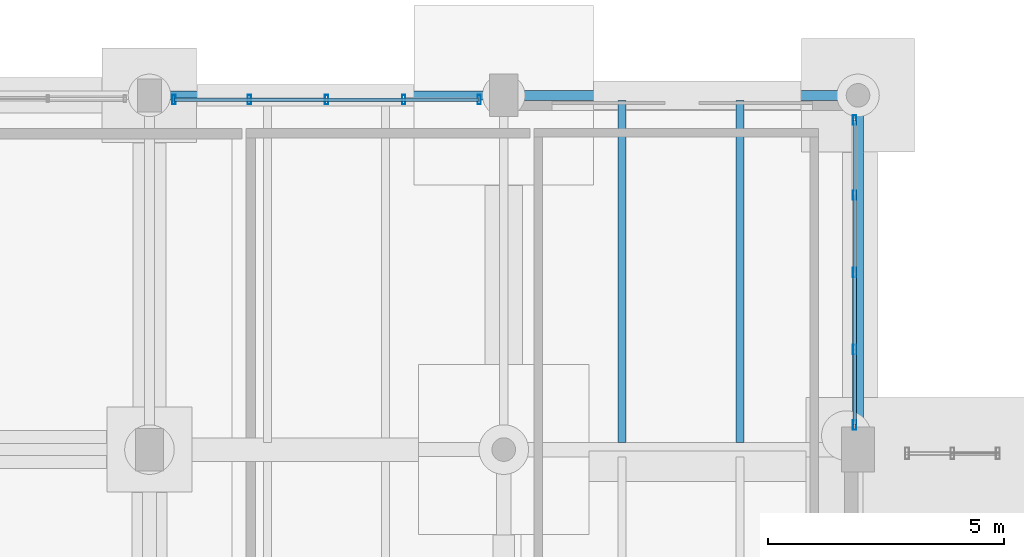
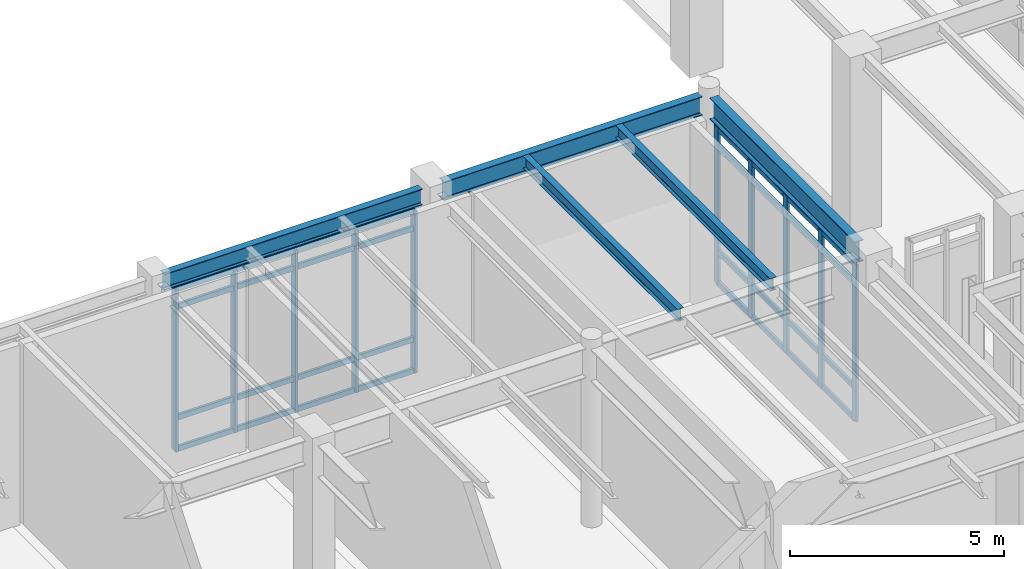
# One storey, part 45 of 203: 18 members, 5 beams, 2 elements without a shape of their own.
"""IFC4 building model written with IfcOpenShell, lengths in metres."""

from ifc_helpers import new_model, si_unit, direction, frame, origin, origin_2d, place, context, subcontext, project, spatial, hollow_rectangle, i_section, extrude, material, material_profile, profile_set, type_object, element, aggregate, save


model = new_model("IFC4")

# Units and contexts
model_context = context("Model", 3, precision=1e-05, world=origin(), true_north=direction((0.0, 1.0)))
body_context = subcontext(model_context, "Body", "Model", "MODEL_VIEW")
ifc_project = project(units=[si_unit("LENGTHUNIT", "METRE"), si_unit("AREAUNIT", "SQUARE_METRE"), si_unit("VOLUMEUNIT", "CUBIC_METRE"), si_unit("PLANEANGLEUNIT", "RADIAN"), si_unit("MASSUNIT", "GRAM", prefix="KILO"), si_unit("THERMODYNAMICTEMPERATUREUNIT", "KELVIN"), si_unit("POWERUNIT", "WATT")], contexts=[model_context])

# Site, building, storey
site_placement = place(None, origin())
site = spatial("IfcSite", under=ifc_project, at=site_placement, CompositionType="ELEMENT")
building_placement = place(site_placement, origin())
building = spatial("IfcBuilding", under=site, at=building_placement, Name="Tepalcoro Natatorium and Aquatics Centre", CompositionType="ELEMENT")
storey_placement = place(building_placement, origin())
storey = spatial("IfcBuildingStorey", under=building, at=storey_placement, Name="L00", CompositionType="ELEMENT", Elevation=0.0)

# Curtain wall, members
ifc_material_1 = material(Name="Bronze-Anodised Extruded Aluminium Alloy EN AW-6063 T6", Category="aluminium")
curtain_wall_type_1 = type_object("IfcCurtainWallType", Name="CW_LEAN_T2_NS", PredefinedType="USERDEFINED", material=ifc_material_1)
curtain_wall_1_placement = place(storey_placement, origin())
curtain_wall_1 = element("IfcCurtainWall", 1, at=curtain_wall_1_placement, inside=storey, type_object=curtain_wall_type_1, Name="V3 L00 N Unitised Curtain Wall Bay 3", ObjectType="FACETED SOLAR GLAZING", PredefinedType="USERDEFINED")
ifc_material_profile_1 = material_profile(ifc_material_1, hollow_rectangle(XDim=0.070068359375, YDim=0.199951171875, WallThickness=0.0048828125, at=origin_2d()), Name="AL70X200X5")
ifc_profile_set_1 = profile_set([ifc_material_profile_1], Name="Bronze-Anodised Extruded Aluminium Alloy EN AW-6063 T6")
member_type_1 = type_object("IfcMemberType", Name="CW_MUL_70x200", PredefinedType="MULLION", material=ifc_profile_set_1)
member_1_placement = place(storey_placement, frame((21.52001953125, 51.409912109375, 0.02001953125), z_axis=(0.0, 0.0, 1.0), x_axis=(1.0, 0.0, 0.0)))
member_1 = element("IfcMember", 2, at=member_1_placement, type_object=member_type_1, Name="CW_LEAN_T2_NS Curtain Wall Mullion", PredefinedType="MULLION", context=body_context, shape_type="SweptSolid", body=[
    extrude(hollow_rectangle(XDim=0.070068359375, YDim=0.199951171875, WallThickness=0.0048828125, at=origin_2d()), origin(), (0.0, 0.0, 1.0), 4.6298828125),
])
member_2_placement = place(storey_placement, frame((23.114990234375, 51.409912109375, 0.02001953125), z_axis=(0.0, 0.0, 1.0), x_axis=(1.0, 0.0, 0.0)))
member_2 = element("IfcMember", 3, at=member_2_placement, type_object=member_type_1, Name="CW_LEAN_T2_NS Curtain Wall Mullion", PredefinedType="MULLION", context=body_context, shape_type="SweptSolid", body=[
    extrude(hollow_rectangle(XDim=0.070068359375, YDim=0.199951171875, WallThickness=0.0048828125, at=origin_2d()), origin(), (0.0, 0.0, 1.0), 4.6298828125),
])
member_3_placement = place(storey_placement, frame((24.75, 51.409912109375, 0.02001953125), z_axis=(0.0, 0.0, 1.0), x_axis=(1.0, 0.0, 0.0)))
member_3 = element("IfcMember", 4, at=member_3_placement, type_object=member_type_1, Name="CW_LEAN_T2_NS Curtain Wall Mullion", PredefinedType="MULLION", context=body_context, shape_type="SweptSolid", body=[
    extrude(hollow_rectangle(XDim=0.070068359375, YDim=0.199951171875, WallThickness=0.0048828125, at=origin_2d()), origin(), (0.0, 0.0, 1.0), 4.6298828125),
])
member_4_placement = place(storey_placement, frame((26.385009765625, 51.409912109375, 0.02001953125), z_axis=(0.0, 0.0, 1.0), x_axis=(1.0, 0.0, 0.0)))
member_4 = element("IfcMember", 5, at=member_4_placement, type_object=member_type_1, Name="CW_LEAN_T2_NS Curtain Wall Mullion", PredefinedType="MULLION", context=body_context, shape_type="SweptSolid", body=[
    extrude(hollow_rectangle(XDim=0.070068359375, YDim=0.199951171875, WallThickness=0.0048828125, at=origin_2d()), origin(), (0.0, 0.0, 1.0), 4.6298828125),
])
member_5_placement = place(storey_placement, frame((27.97998046875, 51.409912109375, 0.02001953125), z_axis=(0.0, 0.0, 1.0), x_axis=(1.0, 0.0, 0.0)))
member_5 = element("IfcMember", 6, at=member_5_placement, type_object=member_type_1, Name="CW_LEAN_T2_NS Curtain Wall Mullion", PredefinedType="MULLION", context=body_context, shape_type="SweptSolid", body=[
    extrude(hollow_rectangle(XDim=0.070068359375, YDim=0.199951171875, WallThickness=0.0048828125, at=origin_2d()), origin(), (0.0, 0.0, 1.0), 4.6298828125),
])

curtain_wall_type_2 = type_object("IfcCurtainWallType", Name="CW_V3_FOYER", PredefinedType="USERDEFINED", material=ifc_material_1)
curtain_wall_2_placement = place(storey_placement, origin())
curtain_wall_2 = element("IfcCurtainWall", 7, at=curtain_wall_2_placement, inside=storey, type_object=curtain_wall_type_2, Name="V3 L00 E Unitised Curtain Wall Bay 6", ObjectType="UNITISED STOREFRONT", PredefinedType="USERDEFINED")
member_6_placement = place(storey_placement, frame((35.9287109375, 44.52001953125, 0.02001953125), z_axis=(0.0, 0.0, 1.0), x_axis=(1.0, 0.0, 0.0)))
member_6 = element("IfcMember", 8, at=member_6_placement, type_object=member_type_1, Name="CW_V3_FOYER Curtain Wall Mullion", PredefinedType="MULLION", context=body_context, shape_type="SweptSolid", body=[
    extrude(hollow_rectangle(XDim=0.070068359375, YDim=0.199951171875, WallThickness=0.0048828125, at=origin_2d()), origin(), (0.0, 0.0, 1.0), 4.47802734375),
])
member_7_placement = place(storey_placement, frame((35.9287109375, 46.114990234375, 0.02001953125), z_axis=(0.0, 0.0, 1.0), x_axis=(1.0, 0.0, 0.0)))
member_7 = element("IfcMember", 9, at=member_7_placement, type_object=member_type_1, Name="CW_V3_FOYER Curtain Wall Mullion", PredefinedType="MULLION", context=body_context, shape_type="SweptSolid", body=[
    extrude(hollow_rectangle(XDim=0.070068359375, YDim=0.199951171875, WallThickness=0.0048828125, at=origin_2d()), origin(), (0.0, 0.0, 1.0), 4.47802734375),
])
member_8_placement = place(storey_placement, frame((35.9287109375, 47.75, 0.02001953125), z_axis=(0.0, 0.0, 1.0), x_axis=(1.0, 0.0, 0.0)))
member_8 = element("IfcMember", 10, at=member_8_placement, type_object=member_type_1, Name="CW_V3_FOYER Curtain Wall Mullion", PredefinedType="MULLION", context=body_context, shape_type="SweptSolid", body=[
    extrude(hollow_rectangle(XDim=0.070068359375, YDim=0.199951171875, WallThickness=0.0048828125, at=origin_2d()), origin(), (0.0, 0.0, 1.0), 4.47802734375),
])
member_9_placement = place(storey_placement, frame((35.9287109375, 49.385009765625, 0.02001953125), z_axis=(0.0, 0.0, 1.0), x_axis=(1.0, 0.0, 0.0)))
member_9 = element("IfcMember", 11, at=member_9_placement, type_object=member_type_1, Name="CW_V3_FOYER Curtain Wall Mullion", PredefinedType="MULLION", context=body_context, shape_type="SweptSolid", body=[
    extrude(hollow_rectangle(XDim=0.070068359375, YDim=0.199951171875, WallThickness=0.0048828125, at=origin_2d()), origin(), (0.0, 0.0, 1.0), 4.47802734375),
])
member_10_placement = place(storey_placement, frame((35.9287109375, 50.97998046875, 0.02001953125), z_axis=(0.0, 0.0, 1.0), x_axis=(1.0, 0.0, 0.0)))
member_10 = element("IfcMember", 12, at=member_10_placement, type_object=member_type_1, Name="CW_V3_FOYER Curtain Wall Mullion", PredefinedType="MULLION", context=body_context, shape_type="SweptSolid", body=[
    extrude(hollow_rectangle(XDim=0.070068359375, YDim=0.199951171875, WallThickness=0.0048828125, at=origin_2d()), origin(), (0.0, 0.0, 1.0), 4.47802734375),
])

# Member
ifc_material_profile_2 = material_profile(ifc_material_1, hollow_rectangle(XDim=0.070068359375, YDim=0.14990234375, WallThickness=0.00390625, at=origin_2d()), Name="AL70X150X4")
ifc_profile_set_2 = profile_set([ifc_material_profile_2], Name="Bronze-Anodised Extruded Aluminium Alloy EN AW-6063 T6")
member_type_2 = type_object("IfcMemberType", Name="CW_TRN_70x150", PredefinedType="USERDEFINED", material=ifc_profile_set_2)
member_11_placement = place(storey_placement, frame((21.530029296875, 51.409912109375, 0.050048828125), z_axis=(1.0, 0.0, 0.0), x_axis=(0.0, 1.0, 0.0)))
member_11 = element("IfcMember", 13, at=member_11_placement, type_object=member_type_2, Name="CW_LEAN_T2_NS Curtain Wall Transom", ObjectType="TRANSOM", PredefinedType="USERDEFINED", context=body_context, shape_type="SweptSolid", body=[
    extrude(hollow_rectangle(XDim=0.070068359375, YDim=0.14990234375, WallThickness=0.00390625, at=origin_2d()), origin(), (0.0, 0.0, 1.0), 6.43994140625),
])

member_12_placement = place(storey_placement, frame((21.530029296875, 51.409912109375, 0.949951171875), z_axis=(1.0, 0.0, 0.0), x_axis=(0.0, 1.0, 0.0)))
member_12 = element("IfcMember", 14, at=member_12_placement, type_object=member_type_2, Name="CW_LEAN_T2_NS Curtain Wall Transom", ObjectType="TRANSOM", PredefinedType="USERDEFINED", context=body_context, shape_type="SweptSolid", body=[
    extrude(hollow_rectangle(XDim=0.070068359375, YDim=0.14990234375, WallThickness=0.00390625, at=origin_2d()), origin(), (0.0, 0.0, 1.0), 6.43994140625),
])

member_13_placement = place(storey_placement, frame((21.530029296875, 51.409912109375, 4.1201171875), z_axis=(1.0, 0.0, 0.0), x_axis=(0.0, 1.0, 0.0)))
member_13 = element("IfcMember", 15, at=member_13_placement, type_object=member_type_2, Name="CW_LEAN_T2_NS Curtain Wall Transom", ObjectType="TRANSOM", PredefinedType="USERDEFINED", context=body_context, shape_type="SweptSolid", body=[
    extrude(hollow_rectangle(XDim=0.070068359375, YDim=0.14990234375, WallThickness=0.00390625, at=origin_2d()), origin(), (0.0, 0.0, 1.0), 6.43994140625),
])

member_14_placement = place(storey_placement, frame((21.530029296875, 51.409912109375, 4.6201171875), z_axis=(1.0, 0.0, 0.0), x_axis=(0.0, 1.0, 0.0)))
member_14 = element("IfcMember", 16, at=member_14_placement, type_object=member_type_2, Name="CW_LEAN_T2_NS Curtain Wall Transom", ObjectType="TRANSOM", PredefinedType="USERDEFINED", context=body_context, shape_type="SweptSolid", body=[
    extrude(hollow_rectangle(XDim=0.070068359375, YDim=0.14990234375, WallThickness=0.00390625, at=origin_2d()), origin(), (0.0, 0.0, 1.0), 6.43994140625),
])

aggregate(curtain_wall_1, [member_1, member_2, member_3, member_4, member_5, member_11, member_12, member_13, member_14])

member_15_placement = place(storey_placement, frame((35.9287109375, 44.530029296875, 0.050048828125), z_axis=(0.0, 1.0, 0.0), x_axis=(-1.0, 0.0, 0.0)))
member_15 = element("IfcMember", 17, at=member_15_placement, type_object=member_type_2, Name="CW_V3_FOYER Curtain Wall Transom", ObjectType="TRANSOM", PredefinedType="USERDEFINED", context=body_context, shape_type="SweptSolid", body=[
    extrude(hollow_rectangle(XDim=0.070068359375, YDim=0.14990234375, WallThickness=0.00390625, at=origin_2d()), origin(), (0.0, 0.0, 1.0), 6.43994140625),
])

member_16_placement = place(storey_placement, frame((35.9287109375, 44.530029296875, 0.949951171875), z_axis=(0.0, 1.0, 0.0), x_axis=(-1.0, 0.0, 0.0)))
member_16 = element("IfcMember", 18, at=member_16_placement, type_object=member_type_2, Name="CW_V3_FOYER Curtain Wall Transom", ObjectType="TRANSOM", PredefinedType="USERDEFINED", context=body_context, shape_type="SweptSolid", body=[
    extrude(hollow_rectangle(XDim=0.070068359375, YDim=0.14990234375, WallThickness=0.00390625, at=origin_2d()), origin(), (0.0, 0.0, 1.0), 6.43994140625),
])

member_17_placement = place(storey_placement, frame((35.9287109375, 44.530029296875, 3.968017578125), z_axis=(0.0, 1.0, 0.0), x_axis=(-1.0, 0.0, 0.0)))
member_17 = element("IfcMember", 19, at=member_17_placement, type_object=member_type_2, Name="CW_V3_FOYER Curtain Wall Transom", ObjectType="TRANSOM", PredefinedType="USERDEFINED", context=body_context, shape_type="SweptSolid", body=[
    extrude(hollow_rectangle(XDim=0.070068359375, YDim=0.14990234375, WallThickness=0.00390625, at=origin_2d()), origin(), (0.0, 0.0, 1.0), 6.43994140625),
])

member_18_placement = place(storey_placement, frame((35.9287109375, 44.530029296875, 4.468017578125), z_axis=(0.0, 1.0, 0.0), x_axis=(-1.0, 0.0, 0.0)))
member_18 = element("IfcMember", 20, at=member_18_placement, type_object=member_type_2, Name="CW_V3_FOYER Curtain Wall Transom", ObjectType="TRANSOM", PredefinedType="USERDEFINED", context=body_context, shape_type="SweptSolid", body=[
    extrude(hollow_rectangle(XDim=0.070068359375, YDim=0.14990234375, WallThickness=0.00390625, at=origin_2d()), origin(), (0.0, 0.0, 1.0), 6.43994140625),
])

aggregate(curtain_wall_2, [member_6, member_7, member_8, member_9, member_10, member_15, member_16, member_17, member_18])

# Beams
ifc_material_2 = material(Name="Steel ASTM A992 Grade 50 (Fy 345 MPa)", Category="steel")
ifc_material_profile_3 = material_profile(ifc_material_2, i_section(OverallWidth=0.1708984375, OverallDepth=0.35107421875, WebThickness=0.007080078125, FlangeThickness=0.010009765625, FilletRadius=0.013916015625, at=origin_2d()), Name="W14X30")
ifc_profile_set_3 = profile_set([ifc_material_profile_3], Name="Steel ASTM A992 Grade 50 (Fy 345 MPa)")
beam_type_1 = type_object("IfcBeamType", Name="JS_W14x30", PredefinedType="JOIST", material=ifc_profile_set_3)
beam_1_placement = place(storey_placement, frame((31.0, 44.155029296875, 4.969482421875), z_axis=(0.0, 1.0, 0.0), x_axis=(-1.0, 0.0, 0.0)))
element("IfcBeam", 21, at=beam_1_placement, inside=storey, type_object=beam_type_1, Name="V3 L00 Floor Joist", PredefinedType="JOIST", context=body_context, shape_type="SweptSolid", body=[
    extrude(i_section(OverallWidth=0.1708984375, OverallDepth=0.35107421875, WebThickness=0.007080078125, FlangeThickness=0.010009765625, FilletRadius=0.013916015625, at=origin_2d()), origin(), (0.0, 0.0, 1.0), 7.239990234375),
])
ifc_material_profile_4 = material_profile(ifc_material_2, i_section(OverallWidth=0.172119140625, OverallDepth=0.35791015625, WebThickness=0.008056640625, FlangeThickness=0.012939453125, FilletRadius=0.013916015625, at=origin_2d()), Name="W14X38")
ifc_profile_set_4 = profile_set([ifc_material_profile_4], Name="Steel ASTM A992 Grade 50 (Fy 345 MPa)")
beam_type_2 = type_object("IfcBeamType", Name="JS_W14x38", PredefinedType="JOIST", material=ifc_profile_set_4)
beam_2_placement = place(storey_placement, frame((33.5, 44.155029296875, 4.966064453125), z_axis=(0.0, 1.0, 0.0), x_axis=(-1.0, 0.0, 0.0)))
element("IfcBeam", 22, at=beam_2_placement, inside=storey, type_object=beam_type_2, Name="V3 L00 Floor Joist", PredefinedType="JOIST", context=body_context, shape_type="SweptSolid", body=[
    extrude(i_section(OverallWidth=0.172119140625, OverallDepth=0.35791015625, WebThickness=0.008056640625, FlangeThickness=0.012939453125, FilletRadius=0.013916015625, at=origin_2d()), origin(), (0.0, 0.0, 1.0), 7.239990234375),
])
ifc_material_profile_5 = material_profile(ifc_material_2, i_section(OverallWidth=0.19091796875, OverallDepth=0.4599609375, WebThickness=0.010009765625, FlangeThickness=0.01611328125, FilletRadius=0.013916015625, at=origin_2d()), Name="W18X55")
ifc_profile_set_5 = profile_set([ifc_material_profile_5], Name="Steel ASTM A992 Grade 50 (Fy 345 MPa)")
beam_type_3 = type_object("IfcBeamType", Name="SP_W18x55", PredefinedType="SPANDREL", material=ifc_profile_set_5)
beam_3_placement = place(storey_placement, frame((21.235107421875, 51.5, 4.9150390625), z_axis=(1.0, 0.0, 0.0), x_axis=(0.0, 1.0, 0.0)))
element("IfcBeam", 23, at=beam_3_placement, inside=storey, type_object=beam_type_3, Name="V3 L00 Grid Girder X", PredefinedType="SPANDREL", context=body_context, shape_type="SweptSolid", body=[
    extrude(i_section(OverallWidth=0.19091796875, OverallDepth=0.4599609375, WebThickness=0.010009765625, FlangeThickness=0.01611328125, FilletRadius=0.013916015625, at=origin_2d()), origin(), (0.0, 0.0, 1.0), 6.97998046875),
])
ifc_material_profile_6 = material_profile(ifc_material_2, i_section(OverallWidth=0.2099609375, OverallDepth=0.535888671875, WebThickness=0.010986328125, FlangeThickness=0.01708984375, FilletRadius=0.013916015625, at=origin_2d()), Name="W21X68")
ifc_profile_set_6 = profile_set([ifc_material_profile_6], Name="Steel ASTM A992 Grade 50 (Fy 345 MPa)")
beam_type_4 = type_object("IfcBeamType", Name="SP_W21x68", PredefinedType="SPANDREL", material=ifc_profile_set_6)
beam_4_placement = place(storey_placement, frame((28.784912109375, 51.5, 4.876953125), z_axis=(1.0, 0.0, 0.0), x_axis=(0.0, 1.0, 0.0)))
element("IfcBeam", 24, at=beam_4_placement, inside=storey, type_object=beam_type_4, Name="V3 L00 Grid Girder X", PredefinedType="SPANDREL", context=body_context, shape_type="SweptSolid", body=[
    extrude(i_section(OverallWidth=0.2099609375, OverallDepth=0.535888671875, WebThickness=0.010986328125, FlangeThickness=0.01708984375, FilletRadius=0.013916015625, at=origin_2d()), origin(), (0.0, 0.0, 1.0), 6.97998046875),
])
ifc_material_profile_7 = material_profile(ifc_material_2, i_section(OverallWidth=0.22900390625, OverallDepth=0.612060546875, WebThickness=0.011962890625, FlangeThickness=0.02001953125, FilletRadius=0.013916015625, at=origin_2d()), Name="W24X84")
ifc_profile_set_7 = profile_set([ifc_material_profile_7], Name="Steel ASTM A992 Grade 50 (Fy 345 MPa)")
beam_type_5 = type_object("IfcBeamType", Name="SP_W24x84", PredefinedType="SPANDREL", material=ifc_profile_set_7)
beam_5_placement = place(storey_placement, frame((36.0, 44.4599609375, 4.839111328125), z_axis=(0.0, 1.0, 0.0), x_axis=(-1.0, 0.0, 0.0)))
element("IfcBeam", 25, at=beam_5_placement, inside=storey, type_object=beam_type_5, Name="V3 L00 Grid Girder Y", PredefinedType="SPANDREL", context=body_context, shape_type="SweptSolid", body=[
    extrude(i_section(OverallWidth=0.22900390625, OverallDepth=0.612060546875, WebThickness=0.011962890625, FlangeThickness=0.02001953125, FilletRadius=0.013916015625, at=origin_2d()), origin(), (0.0, 0.0, 1.0), 6.804931640625),
])

save(model, "model.ifc")
